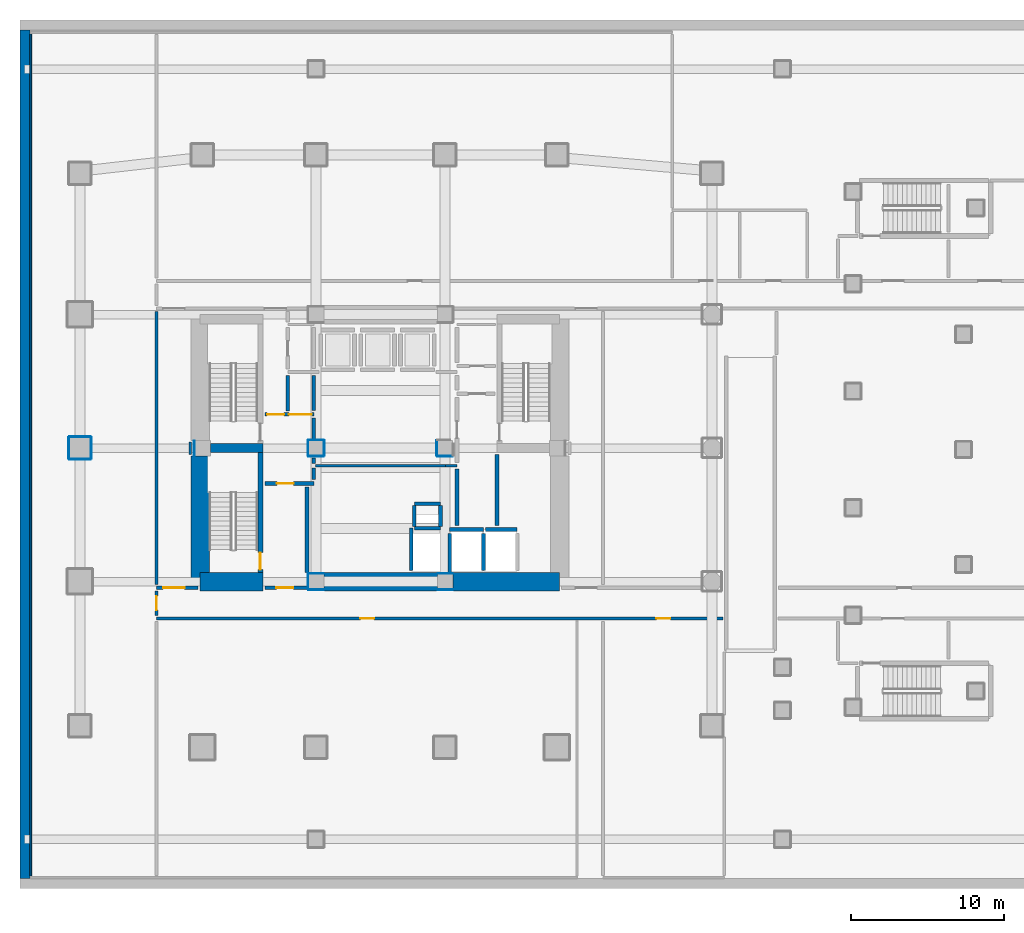
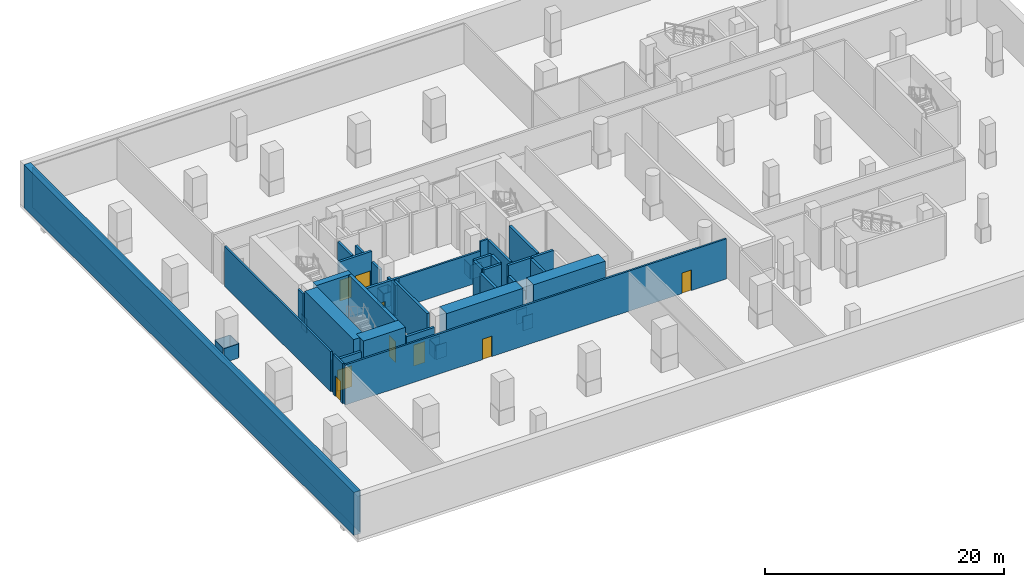
# One storey, part 3 of 15: 51 walls, 9 doors, 9 openings.
"""IFC4 building model written with IfcOpenShell, lengths in metres."""

from ifc_helpers import new_model, si_unit, direction, frame, frame_2d, origin, place, context, subcontext, project, spatial, rectangle, extrude, material, layer, layer_set, type_object, element, fill, save


model = new_model("IFC4")

# Units and contexts
model_context = context("Model", 3, precision=1e-05, world=origin(), true_north=direction((0.0, 1.0)))
body_context = subcontext(model_context, "Body", "Model", "MODEL_VIEW")
ifc_project = project(units=[si_unit("LENGTHUNIT", "METRE"), si_unit("AREAUNIT", "SQUARE_METRE"), si_unit("VOLUMEUNIT", "CUBIC_METRE"), si_unit("PLANEANGLEUNIT", "RADIAN"), si_unit("MASSUNIT", "GRAM", prefix="KILO")], contexts=[model_context])

# Site, building, storey
site_placement = place(None, origin())
site = spatial("IfcSite", under=ifc_project, at=site_placement, CompositionType="ELEMENT")
building_placement = place(site_placement, origin())
building = spatial("IfcBuilding", under=site, at=building_placement, Name="Solanera Arch Residences", CompositionType="ELEMENT")
storey_placement = place(building_placement, frame((0.0, 0.0, -8.800048828125)))
storey = spatial("IfcBuildingStorey", under=building, at=storey_placement, Name="B02", CompositionType="ELEMENT", Elevation=-8.800048828125)

# Walls
ifc_material_1 = material(Name="Fire-Rated Gypsum Stud Partition", Category="gypsum")
ifc_layer_1 = layer(ifc_material_1, 0.06005859375)
ifc_layer_set_1 = layer_set([ifc_layer_1], Name="Fire-Rated Gypsum Stud Partition")
wall_type_1 = type_object("IfcWallType", Name="Column Acoustic Furring Wall 60", PredefinedType="PARTITIONING", material=ifc_layer_set_1)
for number, where, z_axis, x_axis, name in (
    (1, (20.300048828125, 21.468017578125, 0.0), (0.0, 0.0, 1.0), (1.0, 0.0, 0.0), "B02 Column Furring 1S"),
    (2, (20.300048828125, 22.531982421875, 0.0), (0.0, 0.0, 1.0), (1.0, 0.0, 0.0), "B02 Column Furring 1N"),
):
    element("IfcWall", number, at=place(storey_placement, frame(where, z_axis=z_axis, x_axis=x_axis)), inside=storey, type_object=wall_type_1, Name=name, PredefinedType="PARTITIONING", context=body_context, shape_type="SweptSolid", body=[
        extrude(rectangle(XDim=0.989990234375, YDim=0.06005859375, at=frame_2d((0.4951171875, 0.0))), origin(), (0.0, 0.0, 1.0), 1.449951171875),
    ])
wall_1_placement = place(storey_placement, frame((20.26806640625, 21.5, 0.0), z_axis=(0.0, 0.0, 1.0), x_axis=(0.0, 1.0, 0.0)))
element("IfcWall", 3, at=wall_1_placement, inside=storey, type_object=wall_type_1, Name="B02 Column Furring 1W", PredefinedType="PARTITIONING", context=body_context, shape_type="SweptSolid", body=[
    extrude(rectangle(XDim=1.0, YDim=0.06005859375, at=frame_2d((0.5, 0.0))), origin(), (0.0, 0.0, 1.0), 1.449951171875),
])
for number, where, z_axis, x_axis, name in (
    (4, (28.7099609375, 21.468017578125, 0.0), (0.0, 0.0, 1.0), (1.0, 0.0, 0.0), "B02 Column Furring 2S"),
    (5, (28.7099609375, 22.531982421875, 0.0), (0.0, 0.0, 1.0), (1.0, 0.0, 0.0), "B02 Column Furring 2N"),
    (6, (12.867919921875, 30.2099609375, 0.0), (0.0, 0.0, 1.0), (0.0, 1.0, 0.0), "B02 Column Furring 5W"),
):
    element("IfcWall", number, at=place(storey_placement, frame(where, z_axis=z_axis, x_axis=x_axis)), inside=storey, type_object=wall_type_1, Name=name, PredefinedType="PARTITIONING", context=body_context, shape_type="SweptSolid", body=[
        extrude(rectangle(XDim=0.97998046875, YDim=0.06005859375, at=frame_2d((0.489990234375, 0.0))), origin(), (0.0, 0.0, 1.0), 1.449951171875),
    ])
for number, where, z_axis, x_axis, name in (
    (7, (20.300048828125, 30.16796875, 0.0), (0.0, 0.0, 1.0), (1.0, 0.0, 0.0), "B02 Column Furring 7S"),
    (8, (20.300048828125, 31.23193359375, 0.0), (0.0, 0.0, 1.0), (1.0, 0.0, 0.0), "B02 Column Furring 7N"),
    (9, (20.26806640625, 30.199951171875, 0.0), (0.0, 0.0, 1.0), (0.0, 1.0, 0.0), "B02 Column Furring 7W"),
    (10, (21.33203125, 30.199951171875, 0.0), (0.0, 0.0, 1.0), (0.0, 1.0, 0.0), "B02 Column Furring 7E"),
    (11, (28.699951171875, 30.16796875, 0.0), (0.0, 0.0, 1.0), (1.0, 0.0, 0.0), "B02 Column Furring 8S"),
    (12, (28.66796875, 30.199951171875, 0.0), (0.0, 0.0, 1.0), (0.0, 1.0, 0.0), "B02 Column Furring 8W"),
):
    element("IfcWall", number, at=place(storey_placement, frame(where, z_axis=z_axis, x_axis=x_axis)), inside=storey, type_object=wall_type_1, Name=name, PredefinedType="PARTITIONING", context=body_context, shape_type="SweptSolid", body=[
        extrude(rectangle(XDim=1.0, YDim=0.06005859375, at=frame_2d((0.5, 0.0))), origin(), (0.0, 0.0, 1.0), 1.449951171875),
    ])
for number, where, z_axis, x_axis, name in (
    (13, (4.699951171875, 29.968017578125, 0.0), (0.0, 0.0, 1.0), (1.0, 0.0, 0.0), "B02 Column Furring 16S"),
    (14, (4.699951171875, 31.431884765625, 0.0), (0.0, 0.0, 1.0), (1.0, 0.0, 0.0), "B02 Column Furring 16N"),
):
    element("IfcWall", number, at=place(storey_placement, frame(where, z_axis=z_axis, x_axis=x_axis)), inside=storey, type_object=wall_type_1, Name=name, PredefinedType="PARTITIONING", context=body_context, shape_type="SweptSolid", body=[
        extrude(rectangle(XDim=1.400146484375, YDim=0.06005859375, at=frame_2d((0.7001953125, 0.0))), origin(), (0.0, 0.0, 1.0), 1.449951171875),
    ])
for number, where, z_axis, x_axis, name in (
    (15, (4.66796875, 30.0, 0.0), (0.0, 0.0, 1.0), (0.0, 1.0, 0.0), "B02 Column Furring 16W"),
    (16, (6.132080078125, 30.0, 0.0), (0.0, 0.0, 1.0), (0.0, 1.0, 0.0), "B02 Column Furring 16E"),
):
    element("IfcWall", number, at=place(storey_placement, frame(where, z_axis=z_axis, x_axis=x_axis)), inside=storey, type_object=wall_type_1, Name=name, PredefinedType="PARTITIONING", context=body_context, shape_type="SweptSolid", body=[
        extrude(rectangle(XDim=1.39990234375, YDim=0.06005859375, at=frame_2d((0.699951171875, 0.0))), origin(), (0.0, 0.0, 1.0), 1.449951171875),
    ])
ifc_material_2 = material(Name="Concrete C55/67 (f'c = 60 MPa)", Category="concrete")
ifc_layer_2 = layer(ifc_material_2, 1.199951171875)
ifc_layer_set_2 = layer_set([ifc_layer_2], Name="Concrete C55/67 (f'c = 60 MPa)")
wall_type_2 = type_object("IfcWallType", Name="Core Shear Wall CW-1200", PredefinedType="SHEAR", material=ifc_layer_set_2)
wall_2_placement = place(storey_placement, frame((13.239990234375, 22.0, 0.0), z_axis=(0.0, 0.0, 1.0), x_axis=(0.0, 1.0, 0.0)))
element("IfcWall", 17, at=wall_2_placement, inside=storey, type_object=wall_type_2, Name="B02 West Core South Shear Wall", PredefinedType="SHEAR", context=body_context, shape_type="SweptSolid", body=[
    extrude(rectangle(XDim=8.195068359375, YDim=1.199951171875, at=frame_2d((4.09765625, 0.0))), origin(), (0.0, 0.0, 1.0), 4.400146484375),
])
wall_3_placement = place(storey_placement, frame((13.239990234375, 22.0, 0.0), z_axis=(0.0, 0.0, 1.0), x_axis=(1.0, 0.0, 0.0)))
element("IfcWall", 18, at=wall_3_placement, inside=storey, type_object=wall_type_2, Name="B02 South-West Core Shear Wall", PredefinedType="SHEAR", context=body_context, shape_type="SweptSolid", body=[
    extrude(rectangle(XDim=4.080078125, YDim=1.199951171875, at=frame_2d((2.0400390625, 0.0))), origin(), (0.0, 0.0, 1.0), 4.400146484375),
])
wall_4_placement = place(storey_placement, frame((29.705078125, 22.0, 0.0), z_axis=(0.0, 0.0, 1.0), x_axis=(1.0, 0.0, 0.0)))
element("IfcWall", 19, at=wall_4_placement, inside=storey, type_object=wall_type_2, Name="B02 South-East Core Shear Wall", PredefinedType="SHEAR", context=body_context, shape_type="SweptSolid", body=[
    extrude(rectangle(XDim=6.954833984375, YDim=1.199951171875, at=frame_2d((3.4775390625, 0.0))), origin(), (0.0, 0.0, 1.0), 4.400146484375),
])
wall_5_placement = place(storey_placement, frame((21.304931640625, 22.0, 0.0), z_axis=(0.0, 0.0, 1.0), x_axis=(1.0, 0.0, 0.0)))
element("IfcWall", 20, at=wall_5_placement, inside=storey, type_object=wall_type_2, Name="B02 Central South Core Shear Wall", PredefinedType="SHEAR", context=body_context, shape_type="SweptSolid", body=[
    extrude(rectangle(XDim=7.39013671875, YDim=1.199951171875, at=frame_2d((3.695068359375, 0.0))), origin(), (0.0, 0.0, 1.0), 4.400146484375),
])

# Wall, opening, door
ifc_material_3 = material(Name="Concrete C40/50 (f'c = 45 MPa)", Category="concrete")
ifc_layer_3 = layer(ifc_material_3, 0.320068359375)
ifc_layer_set_3 = layer_set([ifc_layer_3], Name="Concrete C40/50 (f'c = 45 MPa)")
wall_type_3 = type_object("IfcWallType", Name="Core Shear Wall CW-320", PredefinedType="SHEAR", material=ifc_layer_set_3)
wall_6_placement = place(storey_placement, frame((17.159912109375, 22.60009765625, 0.0), z_axis=(0.0, 0.0, 1.0), x_axis=(0.0, 1.0, 0.0)))
wall_6 = element("IfcWall", 21, at=wall_6_placement, inside=storey, type_object=wall_type_3, Name="B02 Stair ST-T3 East Shear Wall", PredefinedType="SHEAR", context=body_context, shape_type="SweptSolid", body=[
    extrude(rectangle(XDim=7.7998046875, YDim=0.320068359375, at=frame_2d((3.89990234375, 0.0))), origin(), (0.0, 0.0, 1.0), 4.400146484375),
])
opening_1_placement = place(wall_6_placement, frame((0.18994140625, 0.0, 0.0)))
opening_1 = element("IfcOpeningElement", 22, at=opening_1_placement, cuts=wall_6, Name="Opening DF-01", PredefinedType="OPENING", context=body_context, shape_type="SweptSolid", body=[
    extrude(rectangle(XDim=1.10009765625, YDim=2.14990234375, at=frame_2d((0.550048828125, 1.074951171875))), frame((0.0, 0.169921875, 0.0), z_axis=(0.0, -1.0, 0.0), x_axis=(1.0, 0.0, 0.0)), (0.0, 0.0, 1.0), 0.3401),
])
ifc_material_4 = material(Name="Fire-Rated Architectural Hardwood", Category="wood")
door_type_1 = type_object("IfcDoorType", Name="Stair Exit Fire Door DF-01", OperationType="NOTDEFINED", PredefinedType="DOOR", material=ifc_material_4)
door_1_placement = place(opening_1_placement, origin())
door_1 = element("IfcDoor", 23, at=door_1_placement, inside=storey, type_object=door_type_1, Name="DR-B02-STAIR-ST-T3", OperationType="SINGLE_SWING_RIGHT", OverallHeight=2.14990234375, OverallWidth=1.10009765625, PredefinedType="DOOR", context=body_context, shape_type="SweptSolid", body=[
    extrude(rectangle(XDim=1.10009765625, YDim=2.14990234375, at=frame_2d((0.550048828125, 1.074951171875))), frame((0.0, 0.02490234375, 0.0), z_axis=(0.0, -1.0, 0.0), x_axis=(1.0, 0.0, 0.0)), (0.0, 0.0, 1.0), 0.050048828125),
])
fill(opening_1, door_1)

# Wall
ifc_material_5 = material(Name="Concrete C40/50 (f'c = 45 MPa)", Category="concrete")
ifc_layer_4 = layer(ifc_material_5, 0.60009765625)
ifc_layer_set_4 = layer_set([ifc_layer_4], Name="Concrete C40/50 (f'c = 45 MPa)")
wall_type_4 = type_object("IfcWallType", Name="Core Shear Wall CW-600", PredefinedType="SHEAR", material=ifc_layer_set_4)
wall_7_placement = place(storey_placement, frame((13.905029296875, 30.699951171875, 0.0), z_axis=(0.0, 0.0, 1.0), x_axis=(1.0, 0.0, 0.0)))
element("IfcWall", 24, at=wall_7_placement, inside=storey, type_object=wall_type_4, Name="B02 West Stair Divider Shear Wall", PredefinedType="SHEAR", context=body_context, shape_type="SweptSolid", body=[
    extrude(rectangle(XDim=3.4150390625, YDim=0.60009765625, at=frame_2d((1.70751953125, 0.0))), origin(), (0.0, 0.0, 1.0), 4.400146484375),
])

# Wall, openings, doors
ifc_material_6 = material(Name="Autoclaved Aerated Concrete Blockwork", Category="masonry")
ifc_layer_5 = layer(ifc_material_6, 0.179931640625)
ifc_layer_set_5 = layer_set([ifc_layer_5], Name="Autoclaved Aerated Concrete Blockwork")
wall_type_5 = type_object("IfcWallType", Name="Corridor Fire Partition 180", PredefinedType="PARTITIONING", material=ifc_layer_set_5)
wall_8_placement = place(storey_placement, frame((10.39990234375, 19.60009765625, 0.0), z_axis=(0.0, 0.0, 1.0), x_axis=(1.0, 0.0, 0.0)))
wall_8 = element("IfcWall", 25, at=wall_8_placement, inside=storey, type_object=wall_type_5, Name="B02 Interior Partition H11", PredefinedType="PARTITIONING", context=body_context, shape_type="SweptSolid", body=[
    extrude(rectangle(XDim=36.902099609375, YDim=0.179931640625, at=frame_2d((18.451171875, 0.0))), origin(), (0.0, 0.0, 1.0), 4.10009765625),
])
opening_2_placement = place(wall_8_placement, frame((13.27392578125, 0.0, 0.0)))
opening_2 = element("IfcOpeningElement", 26, at=opening_2_placement, cuts=wall_8, Name="Opening DI-02", PredefinedType="OPENING", context=body_context, shape_type="SweptSolid", body=[
    extrude(rectangle(XDim=0.89990234375, YDim=2.10009765625, at=frame_2d((0.449951171875, 1.050048828125))), frame((0.0, 0.10009765625, 0.0), z_axis=(0.0, -1.0, 0.0), x_axis=(1.0, 0.0, 0.0)), (0.0, 0.0, 1.0), 0.1999),
])
opening_3_placement = place(wall_8_placement, frame((32.575927734375, 0.0, 0.0)))
opening_3 = element("IfcOpeningElement", 27, at=opening_3_placement, cuts=wall_8, Name="Opening DI-02", PredefinedType="OPENING", context=body_context, shape_type="SweptSolid", body=[
    extrude(rectangle(XDim=0.89990234375, YDim=2.10009765625, at=frame_2d((0.449951171875, 1.050048828125))), frame((0.0, 0.10009765625, 0.0), z_axis=(0.0, -1.0, 0.0), x_axis=(1.0, 0.0, 0.0)), (0.0, 0.0, 1.0), 0.1999),
])
ifc_material_7 = material(Name="Fire-Rated Architectural Hardwood", Category="wood")
door_type_2 = type_object("IfcDoorType", Name="Suite Room Swing Door DI-02", OperationType="NOTDEFINED", PredefinedType="DOOR", material=ifc_material_7)
door_2_placement = place(opening_2_placement, origin())
door_2 = element("IfcDoor", 28, at=door_2_placement, inside=storey, type_object=door_type_2, Name="DR-B02-IN-026", OperationType="SINGLE_SWING_LEFT", OverallHeight=2.10009765625, OverallWidth=0.89990234375, PredefinedType="DOOR", context=body_context, shape_type="SweptSolid", body=[
    extrude(rectangle(XDim=0.89990234375, YDim=2.10009765625, at=frame_2d((0.449951171875, 1.050048828125))), frame((0.0, 0.02490234375, 0.0), z_axis=(0.0, -1.0, 0.0), x_axis=(1.0, 0.0, 0.0)), (0.0, 0.0, 1.0), 0.050048828125),
])
fill(opening_2, door_2)
door_3_placement = place(opening_3_placement, origin())
door_3 = element("IfcDoor", 29, at=door_3_placement, inside=storey, type_object=door_type_2, Name="DR-B02-IN-029", OperationType="SINGLE_SWING_RIGHT", OverallHeight=2.10009765625, OverallWidth=0.89990234375, PredefinedType="DOOR", context=body_context, shape_type="SweptSolid", body=[
    extrude(rectangle(XDim=0.89990234375, YDim=2.10009765625, at=frame_2d((0.449951171875, 1.050048828125))), frame((0.0, 0.02490234375, 0.0), z_axis=(0.0, -1.0, 0.0), x_axis=(1.0, 0.0, 0.0)), (0.0, 0.0, 1.0), 0.050048828125),
])
fill(opening_3, door_3)

# Walls
wall_9_placement = place(storey_placement, frame((20.760009765625, 29.550048828125, 0.0), z_axis=(0.0, 0.0, 1.0), x_axis=(1.0, 0.0, 0.0)))
element("IfcWall", 30, at=wall_9_placement, inside=storey, type_object=wall_type_5, Name="B02 Interior Partition H13 1", PredefinedType="PARTITIONING", context=body_context, shape_type="SweptSolid", body=[
    extrude(rectangle(XDim=8.47998046875, YDim=0.179931640625, at=frame_2d((4.239990234375, 0.0))), origin(), (0.0, 0.0, 1.0), 3.135009765625),
])
wall_10_placement = place(storey_placement, frame((29.239990234375, 29.550048828125, 0.0), z_axis=(0.0, 0.0, 1.0), x_axis=(1.0, 0.0, 0.0)))
element("IfcWall", 31, at=wall_10_placement, inside=storey, type_object=wall_type_5, Name="B02 Interior Partition H13 2", PredefinedType="PARTITIONING", context=body_context, shape_type="SweptSolid", body=[
    extrude(rectangle(XDim=0.735107421875, YDim=0.179931640625, at=frame_2d((0.36767578125, 0.0))), origin(), (0.0, 0.0, 1.0), 4.10009765625),
])

# Wall, opening, door
wall_11_placement = place(storey_placement, frame((10.39990234375, 19.7880859375, 0.0), z_axis=(0.0, 0.0, 1.0), x_axis=(0.0, 1.0, 0.0)))
wall_11 = element("IfcWall", 32, at=wall_11_placement, inside=storey, type_object=wall_type_5, Name="B02 Interior Partition V10 2", PredefinedType="PARTITIONING", context=body_context, shape_type="SweptSolid", body=[
    extrude(rectangle(XDim=1.593994140625, YDim=0.179931640625, at=frame_2d((0.796875, 0.0))), origin(), (0.0, 0.0, 1.0), 4.10009765625),
])
opening_4_placement = place(wall_11_placement, frame((0.362060546875, 0.0, 0.0)))
opening_4 = element("IfcOpeningElement", 33, at=opening_4_placement, cuts=wall_11, Name="Opening DI-02", PredefinedType="OPENING", context=body_context, shape_type="SweptSolid", body=[
    extrude(rectangle(XDim=0.89990234375, YDim=2.10009765625, at=frame_2d((0.449951171875, 1.050048828125))), frame((0.0, 0.10009765625, 0.0), z_axis=(0.0, -1.0, 0.0), x_axis=(1.0, 0.0, 0.0)), (0.0, 0.0, 1.0), 0.1999),
])
door_4_placement = place(opening_4_placement, origin())
door_4 = element("IfcDoor", 34, at=door_4_placement, inside=storey, type_object=door_type_2, Name="DR-B02-IN-025", OperationType="SINGLE_SWING_RIGHT", OverallHeight=2.10009765625, OverallWidth=0.89990234375, PredefinedType="DOOR", context=body_context, shape_type="SweptSolid", body=[
    extrude(rectangle(XDim=0.89990234375, YDim=2.10009765625, at=frame_2d((0.449951171875, 1.050048828125))), frame((0.0, 0.02490234375, 0.0), z_axis=(0.0, -1.0, 0.0), x_axis=(1.0, 0.0, 0.0)), (0.0, 0.0, 1.0), 0.050048828125),
])
fill(opening_4, door_4)

# Walls
wall_12_placement = place(storey_placement, frame((10.39990234375, 21.818115234375, 0.0), z_axis=(0.0, 0.0, 1.0), x_axis=(0.0, 1.0, 0.0)))
element("IfcWall", 35, at=wall_12_placement, inside=storey, type_object=wall_type_5, Name="B02 Interior Partition V10 3", PredefinedType="PARTITIONING", context=body_context, shape_type="SweptSolid", body=[
    extrude(rectangle(XDim=17.7939453125, YDim=0.179931640625, at=frame_2d((8.89697265625, 0.0))), origin(), (0.0, 0.0, 1.0), 4.10009765625),
])
wall_13_placement = place(storey_placement, frame((12.60009765625, 30.287109375, 0.0), z_axis=(0.0, 0.0, 1.0), x_axis=(0.0, 1.0, 0.0)))
element("IfcWall", 36, at=wall_13_placement, inside=storey, type_object=wall_type_5, Name="B02 Interior Partition V11", PredefinedType="PARTITIONING", context=body_context, shape_type="SweptSolid", body=[
    extrude(rectangle(XDim=0.825927734375, YDim=0.179931640625, at=frame_2d((0.4130859375, 0.0))), origin(), (0.0, 0.0, 1.0), 4.10009765625),
])
ifc_material_8 = material(Name="Autoclaved Aerated Concrete Blockwork", Category="masonry")
ifc_layer_6 = layer(ifc_material_8, 0.199951171875)
ifc_layer_set_6 = layer_set([ifc_layer_6], Name="Autoclaved Aerated Concrete Blockwork")
wall_type_6 = type_object("IfcWallType", Name="Party Wall Acoustic 200", PredefinedType="PARTITIONING", material=ifc_layer_set_6)
wall_14_placement = place(storey_placement, frame((18.949951171875, 33.1279296875, 0.0), z_axis=(0.0, 0.0, 1.0), x_axis=(0.0, 1.0, 0.0)))
element("IfcWall", 37, at=wall_14_placement, inside=storey, type_object=wall_type_6, Name="B02 Interior Partition V6 1", PredefinedType="PARTITIONING", context=body_context, shape_type="SweptSolid", body=[
    extrude(rectangle(XDim=2.31396484375, YDim=0.199951171875, at=frame_2d((1.156982421875, 0.0))), origin(), (0.0, 0.0, 1.0), 4.10009765625),
])
ifc_material_9 = material(Name="Concrete C40/50 (f'c = 45 MPa)", Category="concrete")
ifc_layer_7 = layer(ifc_material_9, 0.239990234375)
ifc_layer_set_7 = layer_set([ifc_layer_7], Name="Concrete C40/50 (f'c = 45 MPa)")
wall_type_7 = type_object("IfcWallType", Name="Ramp Bearing Shear Wall RW-240", PredefinedType="SHEAR", material=ifc_layer_set_7)
for number, where, z_axis, x_axis, name in (
    (38, (27.199951171875, 25.47998046875, 0.0), (0.0, 0.0, 1.0), (1.0, 0.0, 0.0), "B02 Core MEP Riser South Shaft Wall"),
    (39, (27.199951171875, 27.080078125, 0.0), (0.0, 0.0, 1.0), (1.0, 0.0, 0.0), "B02 Core MEP Riser North Shaft Wall"),
):
    element("IfcWall", number, at=place(storey_placement, frame(where, z_axis=z_axis, x_axis=x_axis)), inside=storey, type_object=wall_type_7, Name=name, PredefinedType="SHEAR", context=body_context, shape_type="SweptSolid", body=[
        extrude(rectangle(XDim=1.699951171875, YDim=0.239990234375, at=frame_2d((0.85009765625, 0.0))), origin(), (0.0, 0.0, 1.0), 4.400146484375),
    ])
for number, where, z_axis, x_axis, name in (
    (40, (27.199951171875, 25.60009765625, 0.0), (0.0, 0.0, 1.0), (0.0, 1.0, 0.0), "B02 Core MEP Riser West Shaft Wall"),
    (41, (28.89990234375, 25.60009765625, 0.0), (0.0, 0.0, 1.0), (0.0, 1.0, 0.0), "B02 Core MEP Riser East Shaft Wall"),
):
    element("IfcWall", number, at=place(storey_placement, frame(where, z_axis=z_axis, x_axis=x_axis)), inside=storey, type_object=wall_type_7, Name=name, PredefinedType="SHEAR", context=body_context, shape_type="SweptSolid", body=[
        extrude(rectangle(XDim=1.35986328125, YDim=0.239990234375, at=frame_2d((0.679931640625, 0.0))), origin(), (0.0, 0.0, 1.0), 4.400146484375),
    ])
ifc_material_10 = material(Name="Autoclaved Aerated Concrete Blockwork", Category="masonry")
ifc_layer_8 = layer(ifc_material_10, 0.239990234375)
ifc_layer_set_8 = layer_set([ifc_layer_8], Name="Autoclaved Aerated Concrete Blockwork")
wall_type_8 = type_object("IfcWallType", Name="Shaft Wall Fire-Rated 240", PredefinedType="PARTITIONING", material=ifc_layer_set_8)
wall_15_placement = place(storey_placement, frame((29.5, 25.39990234375, 0.0), z_axis=(0.0, 0.0, 1.0), x_axis=(1.0, 0.0, 0.0)))
element("IfcWall", 42, at=wall_15_placement, inside=storey, type_object=wall_type_8, Name="B02 Lift FFL-1 Hoistway Wall N", PredefinedType="PARTITIONING", context=body_context, shape_type="SweptSolid", body=[
    extrude(rectangle(XDim=2.199951171875, YDim=0.239990234375, at=frame_2d((1.10009765625, 0.0))), origin(), (0.0, 0.0, 1.0), 4.10009765625),
])
wall_16_placement = place(storey_placement, frame((29.5, 22.632080078125, 0.0), z_axis=(0.0, 0.0, 1.0), x_axis=(0.0, 1.0, 0.0)))
element("IfcWall", 43, at=wall_16_placement, inside=storey, type_object=wall_type_8, Name="B02 Lift FFL-1 Hoistway Wall W", PredefinedType="PARTITIONING", context=body_context, shape_type="SweptSolid", body=[
    extrude(rectangle(XDim=2.52001953125, YDim=0.239990234375, at=frame_2d((1.260009765625, 0.0))), origin(), (0.0, 0.0, 1.0), 3.135009765625),
])
wall_17_placement = place(storey_placement, frame((31.699951171875, 22.72998046875, 0.0), z_axis=(0.0, 0.0, 1.0), x_axis=(0.0, 1.0, 0.0)))
element("IfcWall", 44, at=wall_17_placement, inside=storey, type_object=wall_type_8, Name="B02 Lift FFL-1 Hoistway Wall E", PredefinedType="PARTITIONING", context=body_context, shape_type="SweptSolid", body=[
    extrude(rectangle(XDim=2.422119140625, YDim=0.239990234375, at=frame_2d((1.2109375, 0.0))), origin(), (0.0, 0.0, 1.0), 4.10009765625),
])
wall_18_placement = place(storey_placement, frame((31.827880859375, 25.39990234375, 0.0), z_axis=(0.0, 0.0, 1.0), x_axis=(1.0, 0.0, 0.0)))
element("IfcWall", 45, at=wall_18_placement, inside=storey, type_object=wall_type_8, Name="B02 Lift FFL-2 Hoistway Wall N", PredefinedType="PARTITIONING", context=body_context, shape_type="SweptSolid", body=[
    extrude(rectangle(XDim=2.072021484375, YDim=0.239990234375, at=frame_2d((1.0361328125, 0.0))), origin(), (0.0, 0.0, 1.0), 4.10009765625),
])
wall_19_placement = place(storey_placement, frame((27.0, 22.72998046875, 0.0), z_axis=(0.0, 0.0, 1.0), x_axis=(0.0, 1.0, 0.0)))
element("IfcWall", 46, at=wall_19_placement, inside=storey, type_object=wall_type_8, Name="B02 Lift SVL-1 Hoistway Wall W", PredefinedType="PARTITIONING", context=body_context, shape_type="SweptSolid", body=[
    extrude(rectangle(XDim=2.76806640625, YDim=0.239990234375, at=frame_2d((1.384033203125, 0.0))), origin(), (0.0, 0.0, 1.0), 4.10009765625),
])

# Wall, opening, door
wall_20_placement = place(storey_placement, frame((10.39990234375, 21.60009765625, 0.0), z_axis=(0.0, 0.0, 1.0), x_axis=(1.0, 0.0, 0.0)))
wall_20 = element("IfcWall", 47, at=wall_20_placement, inside=storey, type_object=wall_type_8, Name="B02 Interior Partition H1 1", PredefinedType="PARTITIONING", context=body_context, shape_type="SweptSolid", body=[
    extrude(rectangle(XDim=2.710205078125, YDim=0.239990234375, at=frame_2d((1.35498046875, 0.0))), origin(), (0.0, 0.0, 1.0), 3.3349609375),
])
opening_5_placement = place(wall_20_placement, frame((0.424072265625, 0.0, 0.0)))
opening_5 = element("IfcOpeningElement", 48, at=opening_5_placement, cuts=wall_20, Name="Opening DF-03", PredefinedType="OPENING", context=body_context, shape_type="SweptSolid", body=[
    extrude(rectangle(XDim=1.39990234375, YDim=2.14990234375, at=frame_2d((0.699951171875, 1.074951171875))), frame((0.0, 0.1298828125, 0.0), z_axis=(0.0, -1.0, 0.0), x_axis=(1.0, 0.0, 0.0)), (0.0, 0.0, 1.0), 0.26),
])
ifc_material_11 = material(Name="Fire-Rated Architectural Hardwood", Category="wood")
door_type_3 = type_object("IfcDoorType", Name="Corridor Smoke Door DF-03", OperationType="NOTDEFINED", PredefinedType="DOOR", material=ifc_material_11)
door_5_placement = place(opening_5_placement, origin())
door_5 = element("IfcDoor", 49, at=door_5_placement, inside=storey, type_object=door_type_3, Name="DR-B02-IN-015", OperationType="SINGLE_SWING_RIGHT", OverallHeight=2.14990234375, OverallWidth=1.39990234375, PredefinedType="DOOR", context=body_context, shape_type="SweptSolid", body=[
    extrude(rectangle(XDim=1.39990234375, YDim=2.14990234375, at=frame_2d((0.699951171875, 1.074951171875))), frame((0.0, 0.02490234375, 0.0), z_axis=(0.0, -1.0, 0.0), x_axis=(1.0, 0.0, 0.0)), (0.0, 0.0, 1.0), 0.050048828125),
])
fill(opening_5, door_5)

wall_21_placement = place(storey_placement, frame((17.449951171875, 21.60009765625, 0.0), z_axis=(0.0, 0.0, 1.0), x_axis=(1.0, 0.0, 0.0)))
wall_21 = element("IfcWall", 50, at=wall_21_placement, inside=storey, type_object=wall_type_8, Name="B02 Interior Partition H1 2", PredefinedType="PARTITIONING", context=body_context, shape_type="SweptSolid", body=[
    extrude(rectangle(XDim=2.718017578125, YDim=0.239990234375, at=frame_2d((1.35888671875, 0.0))), origin(), (0.0, 0.0, 1.0), 3.3349609375),
])
opening_6_placement = place(wall_21_placement, frame((0.760009765625, 0.0, 0.0)))
opening_6 = element("IfcOpeningElement", 51, at=opening_6_placement, cuts=wall_21, Name="Opening DF-02", PredefinedType="OPENING", context=body_context, shape_type="SweptSolid", body=[
    extrude(rectangle(XDim=1.10009765625, YDim=2.14990234375, at=frame_2d((0.550048828125, 1.074951171875))), frame((0.0, 0.1298828125, 0.0), z_axis=(0.0, -1.0, 0.0), x_axis=(1.0, 0.0, 0.0)), (0.0, 0.0, 1.0), 0.26),
])
ifc_material_12 = material(Name="Fire-Rated Architectural Hardwood", Category="wood")
door_type_4 = type_object("IfcDoorType", Name="Firefighting Lobby Fire Door DF-02", OperationType="NOTDEFINED", PredefinedType="DOOR", material=ifc_material_12)
door_6_placement = place(opening_6_placement, origin())
door_6 = element("IfcDoor", 52, at=door_6_placement, inside=storey, type_object=door_type_4, Name="DR-B02-IN-013", OperationType="SINGLE_SWING_RIGHT", OverallHeight=2.14990234375, OverallWidth=1.10009765625, PredefinedType="DOOR", context=body_context, shape_type="SweptSolid", body=[
    extrude(rectangle(XDim=1.10009765625, YDim=2.14990234375, at=frame_2d((0.550048828125, 1.074951171875))), frame((0.0, 0.02490234375, 0.0), z_axis=(0.0, -1.0, 0.0), x_axis=(1.0, 0.0, 0.0)), (0.0, 0.0, 1.0), 0.050048828125),
])
fill(opening_6, door_6)

wall_22_placement = place(storey_placement, frame((17.449951171875, 28.39990234375, 0.0), z_axis=(0.0, 0.0, 1.0), x_axis=(1.0, 0.0, 0.0)))
wall_22 = element("IfcWall", 53, at=wall_22_placement, inside=storey, type_object=wall_type_8, Name="B02 Interior Partition H4", PredefinedType="PARTITIONING", context=body_context, shape_type="SweptSolid", body=[
    extrude(rectangle(XDim=3.199951171875, YDim=0.239990234375, at=frame_2d((1.60009765625, 0.0))), origin(), (0.0, 0.0, 1.0), 4.10009765625),
])
opening_7_placement = place(wall_22_placement, frame((0.783935546875, 0.0, 0.0)))
opening_7 = element("IfcOpeningElement", 54, at=opening_7_placement, cuts=wall_22, Name="Opening DF-02", PredefinedType="OPENING", context=body_context, shape_type="SweptSolid", body=[
    extrude(rectangle(XDim=1.10009765625, YDim=2.14990234375, at=frame_2d((0.550048828125, 1.074951171875))), frame((0.0, 0.1298828125, 0.0), z_axis=(0.0, -1.0, 0.0), x_axis=(1.0, 0.0, 0.0)), (0.0, 0.0, 1.0), 0.26),
])
door_7_placement = place(opening_7_placement, origin())
door_7 = element("IfcDoor", 55, at=door_7_placement, inside=storey, type_object=door_type_4, Name="DR-B02-IN-009", OperationType="SINGLE_SWING_RIGHT", OverallHeight=2.14990234375, OverallWidth=1.10009765625, PredefinedType="DOOR", context=body_context, shape_type="SweptSolid", body=[
    extrude(rectangle(XDim=1.10009765625, YDim=2.14990234375, at=frame_2d((0.550048828125, 1.074951171875))), frame((0.0, 0.02490234375, 0.0), z_axis=(0.0, -1.0, 0.0), x_axis=(1.0, 0.0, 0.0)), (0.0, 0.0, 1.0), 0.050048828125),
])
fill(opening_7, door_7)

# Wall, openings, doors
wall_23_placement = place(storey_placement, frame((17.449951171875, 32.89990234375, 0.0), z_axis=(0.0, 0.0, 1.0), x_axis=(1.0, 0.0, 0.0)))
wall_23 = element("IfcWall", 56, at=wall_23_placement, inside=storey, type_object=wall_type_8, Name="B02 Interior Partition H5", PredefinedType="PARTITIONING", context=body_context, shape_type="SweptSolid", body=[
    extrude(rectangle(XDim=3.199951171875, YDim=0.239990234375, at=frame_2d((1.60009765625, 0.0))), origin(), (0.0, 0.0, 1.0), 4.10009765625),
])
opening_8_placement = place(wall_23_placement, frame((0.158935546875, 0.0, 0.0)))
opening_8 = element("IfcOpeningElement", 57, at=opening_8_placement, cuts=wall_23, Name="Opening DF-02", PredefinedType="OPENING", context=body_context, shape_type="SweptSolid", body=[
    extrude(rectangle(XDim=1.10009765625, YDim=2.14990234375, at=frame_2d((0.550048828125, 1.074951171875))), frame((0.0, 0.1298828125, 0.0), z_axis=(0.0, -1.0, 0.0), x_axis=(1.0, 0.0, 0.0)), (0.0, 0.0, 1.0), 0.26),
])
opening_9_placement = place(wall_23_placement, frame((1.575927734375, 0.0, 0.0)))
opening_9 = element("IfcOpeningElement", 58, at=opening_9_placement, cuts=wall_23, Name="Opening DP-01", PredefinedType="OPENING", context=body_context, shape_type="SweptSolid", body=[
    extrude(rectangle(XDim=1.5, YDim=2.14990234375, at=frame_2d((0.75, 1.074951171875))), frame((0.0, 0.1298828125, 0.0), z_axis=(0.0, -1.0, 0.0), x_axis=(1.0, 0.0, 0.0)), (0.0, 0.0, 1.0), 0.26),
])
door_8_placement = place(opening_8_placement, origin())
door_8 = element("IfcDoor", 59, at=door_8_placement, inside=storey, type_object=door_type_4, Name="DR-B02-IN-010", OperationType="SINGLE_SWING_LEFT", OverallHeight=2.14990234375, OverallWidth=1.10009765625, PredefinedType="DOOR", context=body_context, shape_type="SweptSolid", body=[
    extrude(rectangle(XDim=1.10009765625, YDim=2.14990234375, at=frame_2d((0.550048828125, 1.074951171875))), frame((0.0, 0.02490234375, 0.0), z_axis=(0.0, -1.0, 0.0), x_axis=(1.0, 0.0, 0.0)), (0.0, 0.0, 1.0), 0.050048828125),
])
fill(opening_8, door_8)
ifc_material_13 = material(Name="Fire-Rated Architectural Hardwood", Category="wood")
door_type_5 = type_object("IfcDoorType", Name="Plant Double Fire Door DP-01", OperationType="NOTDEFINED", PredefinedType="DOOR", material=ifc_material_13)
door_9_placement = place(opening_9_placement, origin())
door_9 = element("IfcDoor", 60, at=door_9_placement, inside=storey, type_object=door_type_5, Name="DR-B02-IN-022", OperationType="SINGLE_SWING_LEFT", OverallHeight=2.14990234375, OverallWidth=1.5, PredefinedType="DOOR", context=body_context, shape_type="SweptSolid", body=[
    extrude(rectangle(XDim=1.5, YDim=2.14990234375, at=frame_2d((0.75, 1.074951171875))), frame((0.0, 0.02490234375, 0.0), z_axis=(0.0, -1.0, 0.0), x_axis=(1.0, 0.0, 0.0)), (0.0, 0.0, 1.0), 0.050048828125),
])
fill(opening_9, door_9)

# Walls
wall_24_placement = place(storey_placement, frame((20.199951171875, 22.5859375, 0.0), z_axis=(0.0, 0.0, 1.0), x_axis=(0.0, 1.0, 0.0)))
element("IfcWall", 61, at=wall_24_placement, inside=storey, type_object=wall_type_8, Name="B02 Interior Partition V2", PredefinedType="PARTITIONING", context=body_context, shape_type="SweptSolid", body=[
    extrude(rectangle(XDim=5.566162109375, YDim=0.239990234375, at=frame_2d((2.783203125, 0.0))), origin(), (0.0, 0.0, 1.0), 4.10009765625),
])
wall_25_placement = place(storey_placement, frame((20.64990234375, 28.64794921875, 0.0), z_axis=(0.0, 0.0, 1.0), x_axis=(0.0, 1.0, 0.0)))
element("IfcWall", 62, at=wall_25_placement, inside=storey, type_object=wall_type_8, Name="B02 Interior Partition V3 1", PredefinedType="PARTITIONING", context=body_context, shape_type="SweptSolid", body=[
    extrude(rectangle(XDim=0.7470703125, YDim=0.239990234375, at=frame_2d((0.37353515625, 0.0))), origin(), (0.0, 0.0, 1.0), 3.135009765625),
])
wall_26_placement = place(storey_placement, frame((20.64990234375, 29.705078125, 0.0), z_axis=(0.0, 0.0, 1.0), x_axis=(0.0, 1.0, 0.0)))
element("IfcWall", 63, at=wall_26_placement, inside=storey, type_object=wall_type_8, Name="B02 Interior Partition V3 2", PredefinedType="PARTITIONING", context=body_context, shape_type="SweptSolid", body=[
    extrude(rectangle(XDim=0.363037109375, YDim=0.239990234375, at=frame_2d((0.181640625, 0.0))), origin(), (0.0, 0.0, 1.0), 3.135009765625),
])
wall_27_placement = place(storey_placement, frame((20.64990234375, 31.33203125, 0.0), z_axis=(0.0, 0.0, 1.0), x_axis=(0.0, 1.0, 0.0)))
element("IfcWall", 64, at=wall_27_placement, inside=storey, type_object=wall_type_8, Name="B02 Interior Partition V3 3", PredefinedType="PARTITIONING", context=body_context, shape_type="SweptSolid", body=[
    extrude(rectangle(XDim=1.320068359375, YDim=0.239990234375, at=frame_2d((0.66015625, 0.0))), origin(), (0.0, 0.0, 1.0), 3.135009765625),
])
wall_28_placement = place(storey_placement, frame((20.64990234375, 33.14794921875, 0.0), z_axis=(0.0, 0.0, 1.0), x_axis=(0.0, 1.0, 0.0)))
element("IfcWall", 65, at=wall_28_placement, inside=storey, type_object=wall_type_8, Name="B02 Interior Partition V3 4", PredefinedType="PARTITIONING", context=body_context, shape_type="SweptSolid", body=[
    extrude(rectangle(XDim=2.274169921875, YDim=0.239990234375, at=frame_2d((1.13720703125, 0.0))), origin(), (0.0, 0.0, 1.0), 3.135009765625),
])
wall_29_placement = place(storey_placement, frame((29.97509765625, 25.64794921875, 0.0), z_axis=(0.0, 0.0, 1.0), x_axis=(0.0, 1.0, 0.0)))
element("IfcWall", 66, at=wall_29_placement, inside=storey, type_object=wall_type_8, Name="B02 Interior Partition V4 1", PredefinedType="PARTITIONING", context=body_context, shape_type="SweptSolid", body=[
    extrude(rectangle(XDim=3.68408203125, YDim=0.239990234375, at=frame_2d((1.842041015625, 0.0))), origin(), (0.0, 0.0, 1.0), 4.10009765625),
])
wall_30_placement = place(storey_placement, frame((32.580078125, 25.64794921875, 0.0), z_axis=(0.0, 0.0, 1.0), x_axis=(0.0, 1.0, 0.0)))
element("IfcWall", 67, at=wall_30_placement, inside=storey, type_object=wall_type_8, Name="B02 Interior Partition V5", PredefinedType="PARTITIONING", context=body_context, shape_type="SweptSolid", body=[
    extrude(rectangle(XDim=4.6220703125, YDim=0.239990234375, at=frame_2d((2.31103515625, 0.0))), origin(), (0.0, 0.0, 1.0), 4.10009765625),
])
ifc_material_14 = material(Name="Concrete C40/50 (f'c = 45 MPa)", Category="concrete")
ifc_layer_9 = layer(ifc_material_14, 0.64990234375)
ifc_layer_set_9 = layer_set([ifc_layer_9], Name="Concrete C40/50 (f'c = 45 MPa)")
wall_type_9 = type_object("IfcWallType", Name="Solid Exterior Wall Substructure 650", PredefinedType="SOLIDWALL", material=ifc_layer_set_9)
wall_31_placement = place(storey_placement, frame((1.824951171875, 57.949951171875, 0.0), z_axis=(0.0, 0.0, 1.0), x_axis=(0.0, -1.0, 0.0)))
element("IfcWall", 68, at=wall_31_placement, inside=storey, type_object=wall_type_9, Name="B02 West Basement Retaining Wall", PredefinedType="SOLIDWALL", context=body_context, shape_type="SweptSolid", body=[
    extrude(rectangle(XDim=55.300048828125, YDim=0.64990234375, at=frame_2d((27.64990234375, 0.0))), origin(), (0.0, 0.0, 1.0), 4.400146484375),
])
ifc_material_15 = material(Name="Fire-Rated Gypsum Stud Partition", Category="gypsum")
ifc_layer_10 = layer(ifc_material_15, 0.1201171875)
ifc_layer_set_10 = layer_set([ifc_layer_10], Name="Fire-Rated Gypsum Stud Partition")
wall_type_10 = type_object("IfcWallType", Name="Unit Drywall Partition 120", PredefinedType="PARTITIONING", material=ifc_layer_set_10)
wall_32_placement = place(storey_placement, frame((2.199951171875, 2.827880859375, 0.0), z_axis=(0.0, 0.0, 1.0), x_axis=(0.0, 1.0, 0.0)))
element("IfcWall", 69, at=wall_32_placement, inside=storey, type_object=wall_type_10, Name="B02 Interior Partition V24", PredefinedType="PARTITIONING", context=body_context, shape_type="SweptSolid", body=[
    extrude(rectangle(XDim=54.84423828125, YDim=0.1201171875, at=frame_2d((27.422119140625, 0.0))), origin(), (0.0, 0.0, 1.0), 4.10009765625),
])

save(model, "model.ifc")
